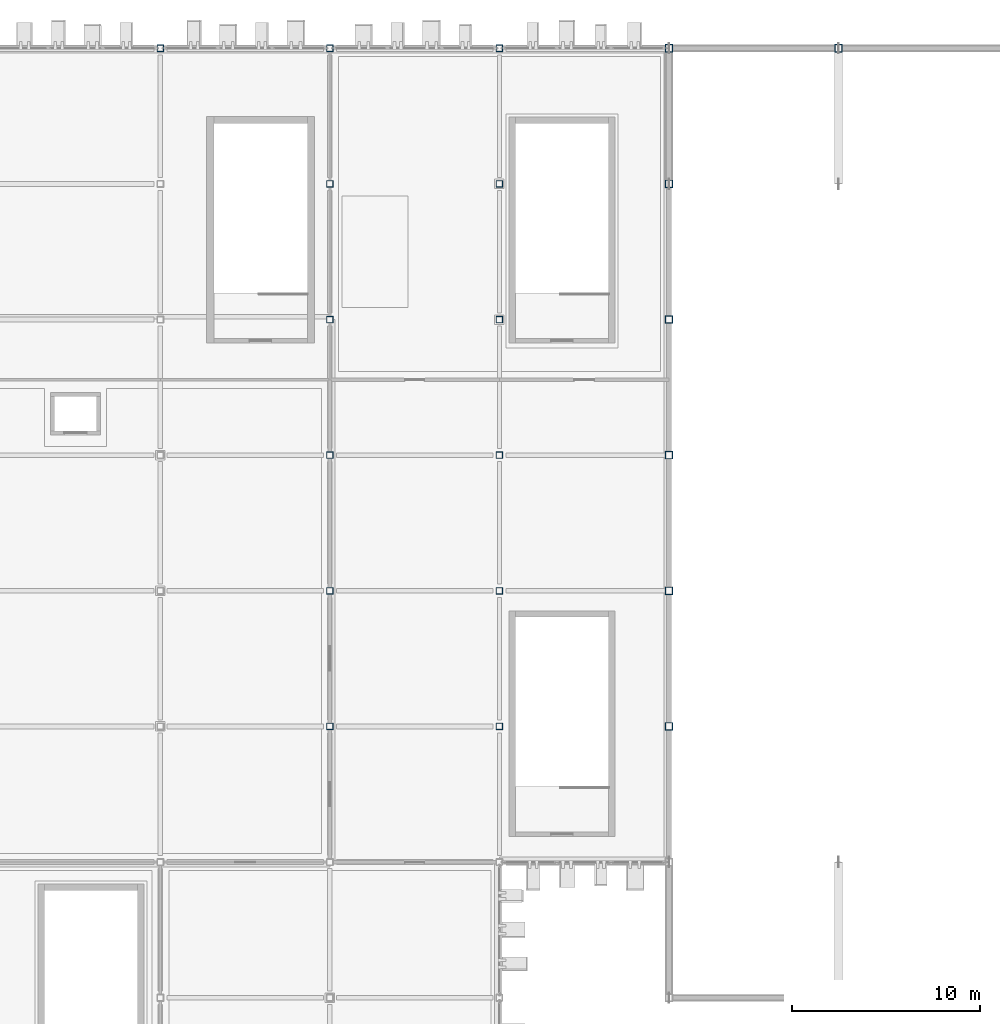
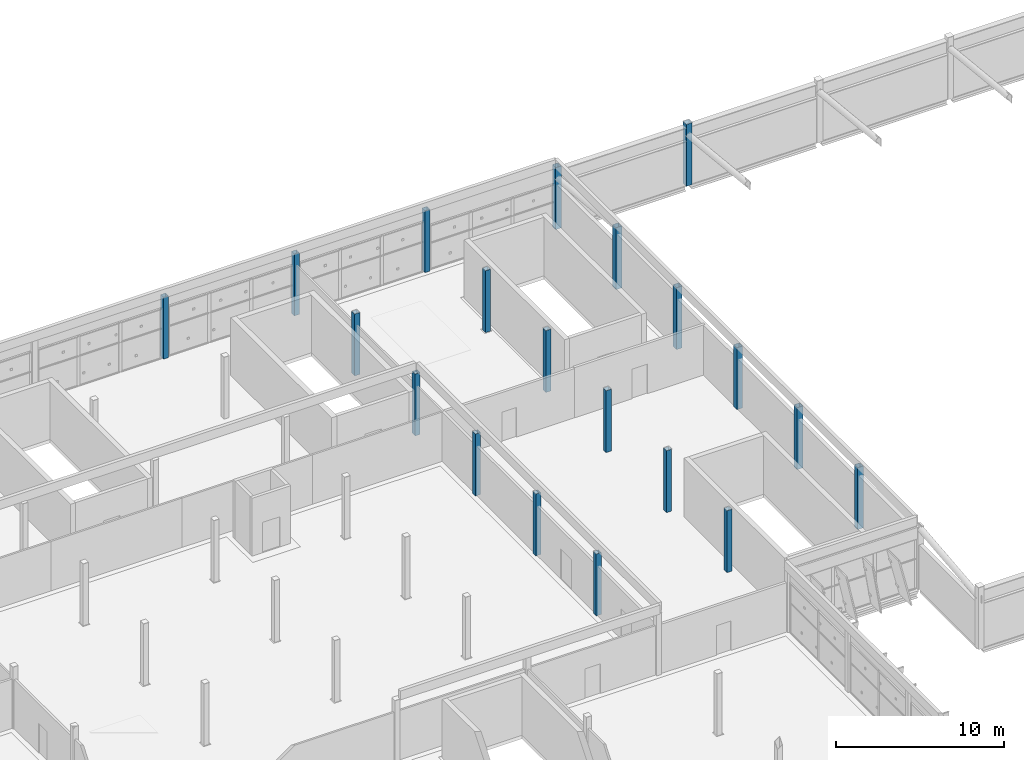
# One storey, part 9 of 124: 20 columns.
"""IFC4 building model written with IfcOpenShell, lengths in metres."""

from ifc_helpers import new_model, si_unit, direction, frame, origin, origin_2d, place, context, subcontext, project, spatial, hollow_rectangle, extrude, material, material_profile, profile_set, type_object, element, save


model = new_model("IFC4")

# Units and contexts
model_context = context("Model", 3, precision=1e-05, world=origin(), true_north=direction((0.0, 1.0)))
body_context = subcontext(model_context, "Body", "Model", "MODEL_VIEW")
ifc_project = project(units=[si_unit("LENGTHUNIT", "METRE"), si_unit("AREAUNIT", "SQUARE_METRE"), si_unit("VOLUMEUNIT", "CUBIC_METRE"), si_unit("PLANEANGLEUNIT", "RADIAN"), si_unit("MASSUNIT", "GRAM", prefix="KILO")], contexts=[model_context])

# Site, building, storey
site_placement = place(None, origin())
site = spatial("IfcSite", under=ifc_project, at=site_placement, CompositionType="ELEMENT")
building_placement = place(site_placement, origin())
building = spatial("IfcBuilding", under=site, at=building_placement, Name="Celestram Park Convention Centre", CompositionType="ELEMENT")
storey_placement = place(building_placement, frame((0.0, 0.0, 15.300048828125)))
storey = spatial("IfcBuildingStorey", under=building, at=storey_placement, Name="L03", CompositionType="ELEMENT", Elevation=15.300048828125)

# Columns
ifc_material = material(Name="Steel ASTM A500 Grade C", Category="steel")
ifc_material_profile_1 = material_profile(ifc_material, hollow_rectangle(XDim=0.35009765625, YDim=0.35009765625, WallThickness=0.01611328125, at=origin_2d()), Name="HSS350X350X16")
ifc_profile_set_1 = profile_set([ifc_material_profile_1], Name="Steel ASTM A500 Grade C")
column_type_1 = type_object("IfcColumnType", Name="STR-COL-HSS350", PredefinedType="COLUMN", material=ifc_profile_set_1)
for number, where, z_axis, x_axis, name in (
    (1, (126.0, 165.60009765625, 0.0), (0.0, 0.0, 1.0), (1.0, 0.0, 0.0), "Column CN-L03-104"),
    (2, (135.0, 129.60009765625, 0.0), (0.0, 0.0, 1.0), (1.0, 0.0, 0.0), "Column CN-L03-118"),
    (3, (135.0, 136.800048828125, 0.0), (0.0, 0.0, 1.0), (1.0, 0.0, 0.0), "Column CN-L03-119"),
    (4, (135.0, 144.0, 0.0), (0.0, 0.0, 1.0), (1.0, 0.0, 0.0), "Column CN-L03-120"),
    (5, (135.0, 151.199951171875, 0.0), (0.0, 0.0, 1.0), (1.0, 0.0, 0.0), "Column CN-L03-121"),
    (6, (135.0, 158.39990234375, 0.0), (0.0, 0.0, 1.0), (1.0, 0.0, 0.0), "Column CN-L03-122"),
    (7, (135.0, 165.60009765625, 0.0), (0.0, 0.0, 1.0), (1.0, 0.0, 0.0), "Column CN-L03-123"),
    (8, (144.0, 129.60009765625, 0.0), (0.0, 0.0, 1.0), (1.0, 0.0, 0.0), "Column CN-L03-137"),
    (9, (144.0, 136.800048828125, 0.0), (0.0, 0.0, 1.0), (1.0, 0.0, 0.0), "Column CN-L03-138"),
    (10, (144.0, 144.0, 0.0), (0.0, 0.0, 1.0), (1.0, 0.0, 0.0), "Column CN-L03-139"),
    (11, (144.0, 151.199951171875, 0.0), (0.0, 0.0, 1.0), (1.0, 0.0, 0.0), "Column CN-L03-140"),
    (12, (144.0, 158.39990234375, 0.0), (0.0, 0.0, 1.0), (1.0, 0.0, 0.0), "Column CN-L03-141"),
    (13, (144.0, 165.60009765625, 0.0), (0.0, 0.0, 1.0), (1.0, 0.0, 0.0), "Column CN-L03-142"),
):
    element("IfcColumn", number, at=place(storey_placement, frame(where, z_axis=z_axis, x_axis=x_axis)), inside=storey, type_object=column_type_1, Name=name, PredefinedType="COLUMN", context=body_context, shape_type="SweptSolid", body=[
        extrude(hollow_rectangle(XDim=0.35009765625, YDim=0.35009765625, WallThickness=0.01611328125, at=origin_2d()), origin(), (0.0, 0.0, 1.0), 4.5),
    ])
ifc_material_profile_2 = material_profile(ifc_material, hollow_rectangle(XDim=0.39990234375, YDim=0.39990234375, WallThickness=0.01611328125, at=origin_2d()), Name="HSS400X400X16")
ifc_profile_set_2 = profile_set([ifc_material_profile_2], Name="Steel ASTM A500 Grade C")
column_type_2 = type_object("IfcColumnType", Name="STR-COL-HSS400", PredefinedType="COLUMN", material=ifc_profile_set_2)
for number, where, z_axis, x_axis, name in (
    (14, (153.0, 129.60009765625, 0.0), (0.0, 0.0, 1.0), (1.0, 0.0, 0.0), "Column CN-L03-145"),
    (15, (153.0, 136.800048828125, 0.0), (0.0, 0.0, 1.0), (1.0, 0.0, 0.0), "Column CN-L03-146"),
    (16, (153.0, 144.0, 0.0), (0.0, 0.0, 1.0), (1.0, 0.0, 0.0), "Column CN-L03-147"),
    (17, (153.0, 151.199951171875, 0.0), (0.0, 0.0, 1.0), (1.0, 0.0, 0.0), "Column CN-L03-148"),
    (18, (153.0, 158.39990234375, 0.0), (0.0, 0.0, 1.0), (1.0, 0.0, 0.0), "Column CN-L03-149"),
    (19, (153.0, 165.60009765625, 0.0), (0.0, 0.0, 1.0), (1.0, 0.0, 0.0), "Column CN-L03-150"),
    (20, (162.0, 165.60009765625, 0.0), (0.0, 0.0, 1.0), (1.0, 0.0, 0.0), "Column CN-L03-152"),
):
    element("IfcColumn", number, at=place(storey_placement, frame(where, z_axis=z_axis, x_axis=x_axis)), inside=storey, type_object=column_type_2, Name=name, PredefinedType="COLUMN", context=body_context, shape_type="SweptSolid", body=[
        extrude(hollow_rectangle(XDim=0.39990234375, YDim=0.39990234375, WallThickness=0.01611328125, at=origin_2d()), origin(), (0.0, 0.0, 1.0), 4.5),
    ])

save(model, "model.ifc")
